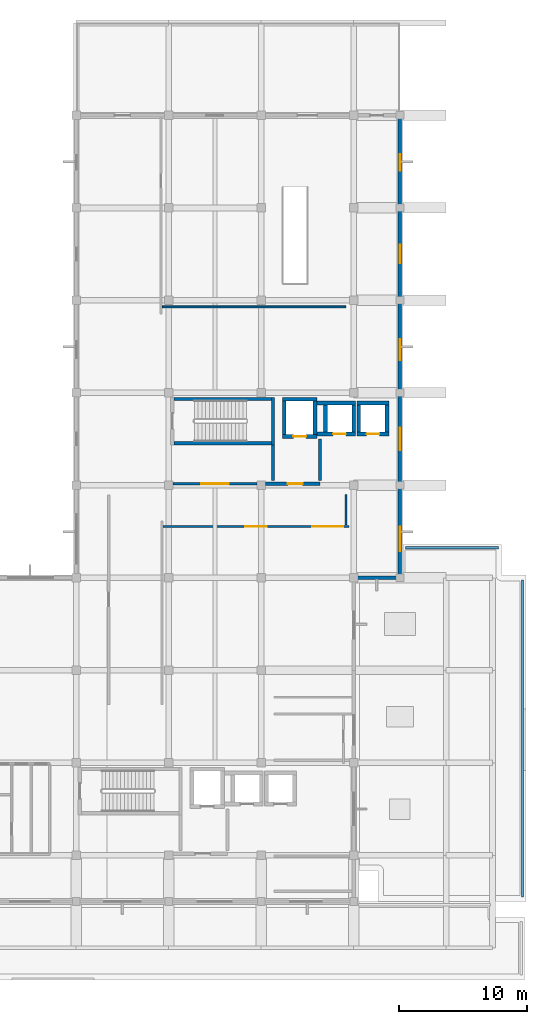
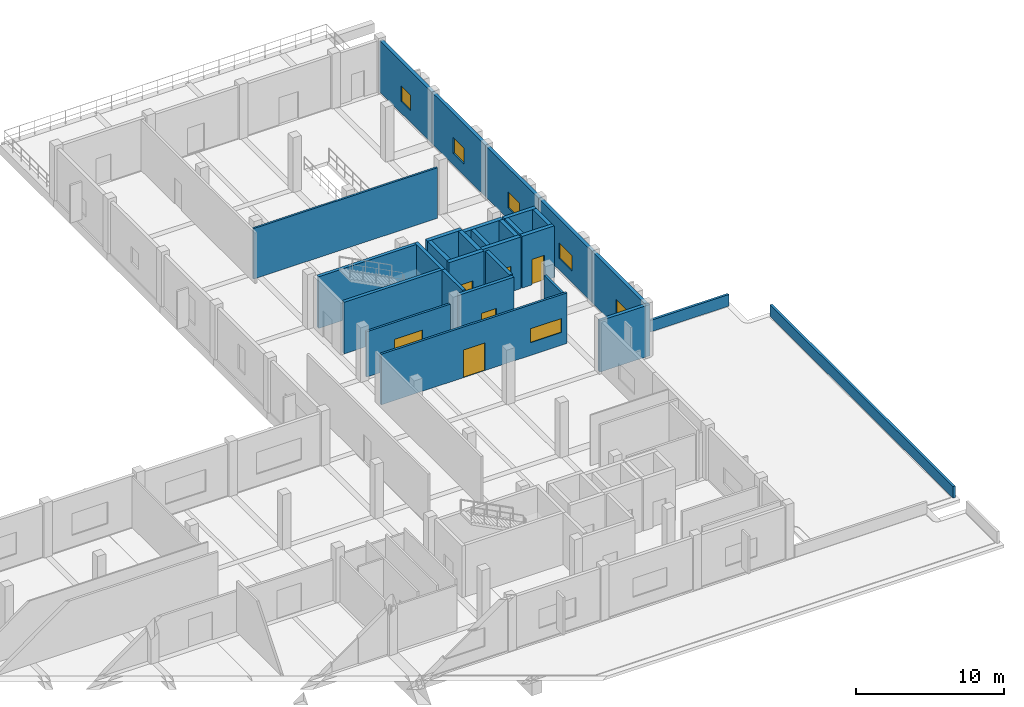
# One storey, part 8 of 16: 30 walls, 6 doors, 6 windows, 12 openings.
"""IFC4 building model written with IfcOpenShell, lengths in metres."""

from ifc_helpers import new_model, si_unit, direction, frame, frame_2d, origin, place, context, subcontext, project, spatial, rectangle, extrude, material, layer, layer_set, type_object, element, fill, save


model = new_model("IFC4")

# Units and contexts
model_context = context("Model", 3, precision=1e-05, world=origin(), true_north=direction((0.0, 1.0)))
body_context = subcontext(model_context, "Body", "Model", "MODEL_VIEW")
ifc_project = project(units=[si_unit("LENGTHUNIT", "METRE"), si_unit("AREAUNIT", "SQUARE_METRE"), si_unit("VOLUMEUNIT", "CUBIC_METRE"), si_unit("PLANEANGLEUNIT", "RADIAN"), si_unit("MASSUNIT", "GRAM", prefix="KILO")], contexts=[model_context])

# Site, building, storey
site_placement = place(None, origin())
site = spatial("IfcSite", under=ifc_project, at=site_placement, CompositionType="ELEMENT")
building_placement = place(site_placement, origin())
building = spatial("IfcBuilding", under=site, at=building_placement, Name="Seraya Terrace Polytechnic", CompositionType="ELEMENT")
storey_placement = place(building_placement, frame((0.0, 0.0, 23.39990234375)))
storey = spatial("IfcBuildingStorey", under=building, at=storey_placement, Name="L05", CompositionType="ELEMENT", Elevation=23.39990234375)

# Wall, opening, window
ifc_material_1 = material(Name="Precast concrete C40/50", Category="concrete")
ifc_layer_1 = layer(ifc_material_1, 0.260009765625, Name="EW-03")
ifc_layer_set_1 = layer_set([ifc_layer_1], Name="Precast concrete C40/50")
wall_type_1 = type_object("IfcWallType", Name="EW-03", PredefinedType="SOLIDWALL", material=ifc_layer_set_1)
wall_1_placement = place(storey_placement, frame((104.39990234375, 64.64794921875, 0.0), z_axis=(0.0, 0.0, 1.0), x_axis=(0.0, -1.0, 0.0)))
wall_1 = element("IfcWall", 1, at=wall_1_placement, inside=storey, type_object=wall_type_1, Name="Exterior structural wall EW-03 L05", PredefinedType="SOLIDWALL", context=body_context, shape_type="SweptSolid", body=[
    extrude(rectangle(XDim=7.0478515625, YDim=0.260009765625, at=frame_2d((3.52392578125, 0.0))), origin(), (0.0, 0.0, 1.0), 4.22021484375),
])
opening_1_placement = place(wall_1_placement, frame((2.8740234375, 0.0, 0.949951171875)))
opening_1 = element("IfcOpeningElement", 2, at=opening_1_placement, cuts=wall_1, Name="Opening WN-03", PredefinedType="OPENING", context=body_context, shape_type="SweptSolid", body=[
    extrude(rectangle(XDim=1.300048828125, YDim=1.300048828125, at=frame_2d((0.64990234375, 0.64990234375))), frame((0.0, 0.14208984375, 0.0), z_axis=(0.0, -1.0, 0.0), x_axis=(1.0, 0.0, 0.0)), (0.0, 0.0, 1.0), 0.283935546875),
])
ifc_material_2 = material(Name="Laminated solar-control Low-E double glazing", Category="glass")
window_type_1 = type_object("IfcWindowType", Name="WN-03", PartitioningType="SINGLE_PANEL", PredefinedType="WINDOW", material=ifc_material_2)
window_1_placement = place(opening_1_placement, origin())
window_1 = element("IfcWindow", 3, at=window_1_placement, inside=storey, type_object=window_type_1, Name="Exterior window WN-03 L05", OverallHeight=1.300048828125, OverallWidth=1.300048828125, PartitioningType="SINGLE_PANEL", PredefinedType="WINDOW", context=body_context, shape_type="SweptSolid", body=[
    extrude(rectangle(XDim=1.300048828125, YDim=1.300048828125, at=frame_2d((0.64990234375, 0.64990234375))), frame((0.0, 0.030029296875, 0.0), z_axis=(0.0, -1.0, 0.0), x_axis=(1.0, 0.0, 0.0)), (0.0, 0.0, 1.0), 0.06005859375),
])
fill(opening_1, window_1)

wall_2_placement = place(storey_placement, frame((104.39990234375, 57.60009765625, 0.0), z_axis=(0.0, 0.0, 1.0), x_axis=(0.0, -1.0, 0.0)))
wall_2 = element("IfcWall", 4, at=wall_2_placement, inside=storey, type_object=wall_type_1, Name="Exterior structural wall EW-03 L05", PredefinedType="SOLIDWALL", context=body_context, shape_type="SweptSolid", body=[
    extrude(rectangle(XDim=7.2001953125, YDim=0.260009765625, at=frame_2d((3.60009765625, 0.0))), origin(), (0.0, 0.0, 1.0), 4.22021484375),
])
opening_2_placement = place(wall_2_placement, frame((2.875, 0.0, 0.949951171875)))
opening_2 = element("IfcOpeningElement", 5, at=opening_2_placement, cuts=wall_2, Name="Opening WN-04", PredefinedType="OPENING", context=body_context, shape_type="SweptSolid", body=[
    extrude(rectangle(XDim=1.449951171875, YDim=1.300048828125, at=frame_2d((0.72509765625, 0.64990234375))), frame((0.0, 0.14208984375, 0.0), z_axis=(0.0, -1.0, 0.0), x_axis=(1.0, 0.0, 0.0)), (0.0, 0.0, 1.0), 0.283935546875),
])
window_type_2 = type_object("IfcWindowType", Name="WN-04", PartitioningType="SINGLE_PANEL", PredefinedType="WINDOW", material=ifc_material_2)
window_2_placement = place(opening_2_placement, origin())
window_2 = element("IfcWindow", 6, at=window_2_placement, inside=storey, type_object=window_type_2, Name="Exterior window WN-04 L05", OverallHeight=1.300048828125, OverallWidth=1.449951171875, PartitioningType="SINGLE_PANEL", PredefinedType="WINDOW", context=body_context, shape_type="SweptSolid", body=[
    extrude(rectangle(XDim=1.449951171875, YDim=1.300048828125, at=frame_2d((0.72509765625, 0.64990234375))), frame((0.0, 0.030029296875, 0.0), z_axis=(0.0, -1.0, 0.0), x_axis=(1.0, 0.0, 0.0)), (0.0, 0.0, 1.0), 0.06005859375),
])
fill(opening_2, window_2)

wall_3_placement = place(storey_placement, frame((104.39990234375, 50.39990234375, 0.0), z_axis=(0.0, 0.0, 1.0), x_axis=(0.0, -1.0, 0.0)))
wall_3 = element("IfcWall", 7, at=wall_3_placement, inside=storey, type_object=wall_type_1, Name="Exterior structural wall EW-03 L05", PredefinedType="SOLIDWALL", context=body_context, shape_type="SweptSolid", body=[
    extrude(rectangle(XDim=7.199951171875, YDim=0.260009765625, at=frame_2d((3.60009765625, 0.0))), origin(), (0.0, 0.0, 1.0), 4.22021484375),
])
opening_3_placement = place(wall_3_placement, frame((3.044921875, 0.0, 0.949951171875)))
opening_3 = element("IfcOpeningElement", 8, at=opening_3_placement, cuts=wall_3, Name="Opening WN-05", PredefinedType="OPENING", context=body_context, shape_type="SweptSolid", body=[
    extrude(rectangle(XDim=1.60009765625, YDim=1.300048828125, at=frame_2d((0.800048828125, 0.64990234375))), frame((0.0, 0.14208984375, 0.0), z_axis=(0.0, -1.0, 0.0), x_axis=(1.0, 0.0, 0.0)), (0.0, 0.0, 1.0), 0.283935546875),
])
window_type_3 = type_object("IfcWindowType", Name="WN-05", PartitioningType="SINGLE_PANEL", PredefinedType="WINDOW", material=ifc_material_2)
window_3_placement = place(opening_3_placement, origin())
window_3 = element("IfcWindow", 9, at=window_3_placement, inside=storey, type_object=window_type_3, Name="Exterior window WN-05 L05", OverallHeight=1.300048828125, OverallWidth=1.60009765625, PartitioningType="SINGLE_PANEL", PredefinedType="WINDOW", context=body_context, shape_type="SweptSolid", body=[
    extrude(rectangle(XDim=1.60009765625, YDim=1.300048828125, at=frame_2d((0.800048828125, 0.64990234375))), frame((0.0, 0.030029296875, 0.0), z_axis=(0.0, -1.0, 0.0), x_axis=(1.0, 0.0, 0.0)), (0.0, 0.0, 1.0), 0.06005859375),
])
fill(opening_3, window_3)

wall_4_placement = place(storey_placement, frame((104.39990234375, 43.199951171875, 0.0), z_axis=(0.0, 0.0, 1.0), x_axis=(0.0, -1.0, 0.0)))
wall_4 = element("IfcWall", 10, at=wall_4_placement, inside=storey, type_object=wall_type_1, Name="Exterior structural wall EW-03 L05", PredefinedType="SOLIDWALL", context=body_context, shape_type="SweptSolid", body=[
    extrude(rectangle(XDim=7.199951171875, YDim=0.260009765625, at=frame_2d((3.60009765625, 0.0))), origin(), (0.0, 0.0, 1.0), 4.22021484375),
])
opening_4_placement = place(wall_4_placement, frame((2.72509765625, 0.0, 0.949951171875)))
opening_4 = element("IfcOpeningElement", 11, at=opening_4_placement, cuts=wall_4, Name="Opening WN-06", PredefinedType="OPENING", context=body_context, shape_type="SweptSolid", body=[
    extrude(rectangle(XDim=1.75, YDim=1.300048828125, at=frame_2d((0.875, 0.64990234375))), frame((0.0, 0.14208984375, 0.0), z_axis=(0.0, -1.0, 0.0), x_axis=(1.0, 0.0, 0.0)), (0.0, 0.0, 1.0), 0.283935546875),
])
window_type_4 = type_object("IfcWindowType", Name="WN-06", PartitioningType="SINGLE_PANEL", PredefinedType="WINDOW", material=ifc_material_2)
window_4_placement = place(opening_4_placement, origin())
window_4 = element("IfcWindow", 12, at=window_4_placement, inside=storey, type_object=window_type_4, Name="Exterior window WN-06 L05", OverallHeight=1.300048828125, OverallWidth=1.75, PartitioningType="SINGLE_PANEL", PredefinedType="WINDOW", context=body_context, shape_type="SweptSolid", body=[
    extrude(rectangle(XDim=1.75, YDim=1.300048828125, at=frame_2d((0.875, 0.64990234375))), frame((0.0, 0.030029296875, 0.0), z_axis=(0.0, -1.0, 0.0), x_axis=(1.0, 0.0, 0.0)), (0.0, 0.0, 1.0), 0.06005859375),
])
fill(opening_4, window_4)

wall_5_placement = place(storey_placement, frame((104.39990234375, 36.0, 0.0), z_axis=(0.0, 0.0, 1.0), x_axis=(0.0, -1.0, 0.0)))
wall_5 = element("IfcWall", 13, at=wall_5_placement, inside=storey, type_object=wall_type_1, Name="Exterior structural wall EW-03 L05", PredefinedType="SOLIDWALL", context=body_context, shape_type="SweptSolid", body=[
    extrude(rectangle(XDim=7.048095703125, YDim=0.260009765625, at=frame_2d((3.52392578125, 0.0))), origin(), (0.0, 0.0, 1.0), 4.22021484375),
])
opening_5_placement = place(wall_5_placement, frame((3.214111328125, 0.0, 0.949951171875)))
opening_5 = element("IfcOpeningElement", 14, at=opening_5_placement, cuts=wall_5, Name="Opening WN-07", PredefinedType="OPENING", context=body_context, shape_type="SweptSolid", body=[
    extrude(rectangle(XDim=1.89990234375, YDim=1.300048828125, at=frame_2d((0.949951171875, 0.64990234375))), frame((0.0, 0.14208984375, 0.0), z_axis=(0.0, -1.0, 0.0), x_axis=(1.0, 0.0, 0.0)), (0.0, 0.0, 1.0), 0.283935546875),
])
window_type_5 = type_object("IfcWindowType", Name="WN-07", PartitioningType="SINGLE_PANEL", PredefinedType="WINDOW", material=ifc_material_2)
window_5_placement = place(opening_5_placement, origin())
window_5 = element("IfcWindow", 15, at=window_5_placement, inside=storey, type_object=window_type_5, Name="Exterior window WN-07 L05", OverallHeight=1.300048828125, OverallWidth=1.89990234375, PartitioningType="SINGLE_PANEL", PredefinedType="WINDOW", context=body_context, shape_type="SweptSolid", body=[
    extrude(rectangle(XDim=1.89990234375, YDim=1.300048828125, at=frame_2d((0.949951171875, 0.64990234375))), frame((0.0, 0.030029296875, 0.0), z_axis=(0.0, -1.0, 0.0), x_axis=(1.0, 0.0, 0.0)), (0.0, 0.0, 1.0), 0.06005859375),
])
fill(opening_5, window_5)

# Wall
wall_6_placement = place(storey_placement, frame((104.550048828125, 28.800048828125, 0.0), z_axis=(0.0, 0.0, 1.0), x_axis=(-1.0, 0.0, 0.0)))
element("IfcWall", 16, at=wall_6_placement, inside=storey, type_object=wall_type_1, Name="Exterior structural wall EW-03 L05", PredefinedType="SOLIDWALL", context=body_context, shape_type="SweptSolid", body=[
    extrude(rectangle(XDim=3.900146484375, YDim=0.260009765625, at=frame_2d((1.9501953125, 0.0))), origin(), (0.0, 0.0, 1.0), 4.22021484375),
])

# Wall, openings, door, window
ifc_material_3 = material(Name="Autoclaved aerated concrete blockwork", Category="masonry")
ifc_layer_2 = layer(ifc_material_3, 0.169921875, Name="PT-02")
ifc_layer_set_2 = layer_set([ifc_layer_2], Name="Autoclaved aerated concrete blockwork")
wall_type_2 = type_object("IfcWallType", Name="PT-02", PredefinedType="PARTITIONING", material=ifc_layer_set_2)
wall_7_placement = place(storey_placement, frame((85.969970703125, 32.800048828125, 0.0), z_axis=(0.0, 0.0, 1.0), x_axis=(1.0, 0.0, 0.0)))
wall_7 = element("IfcWall", 17, at=wall_7_placement, inside=storey, type_object=wall_type_2, Name="Internal partition PT-02 L05", PredefinedType="PARTITIONING", context=body_context, shape_type="SweptSolid", body=[
    extrude(rectangle(XDim=14.469970703125, YDim=0.169921875, at=frame_2d((7.23486328125, 0.0))), origin(), (0.0, 0.0, 1.0), 4.16015625),
])
opening_6_placement = place(wall_7_placement, frame((6.39501953125, 0.0, 0.0)))
opening_6 = element("IfcOpeningElement", 18, at=opening_6_placement, cuts=wall_7, Name="Opening ID-13", PredefinedType="OPENING", context=body_context, shape_type="SweptSolid", body=[
    extrude(rectangle(XDim=1.679931640625, YDim=2.280029296875, at=frame_2d((0.83984375, 1.14013671875))), frame((0.0, 0.096923828125, 0.0), z_axis=(0.0, -1.0, 0.0), x_axis=(1.0, 0.0, 0.0)), (0.0, 0.0, 1.0), 0.19384765625),
])
opening_7_placement = place(wall_7_placement, frame((11.6201171875, 0.0, 1.050048828125)))
opening_7 = element("IfcOpeningElement", 19, at=opening_7_placement, cuts=wall_7, Name="Opening IW-04", PredefinedType="OPENING", context=body_context, shape_type="SweptSolid", body=[
    extrude(rectangle(XDim=2.39990234375, YDim=1.14990234375, at=frame_2d((1.199951171875, 0.574951171875))), frame((0.0, 0.096923828125, 0.0), z_axis=(0.0, -1.0, 0.0), x_axis=(1.0, 0.0, 0.0)), (0.0, 0.0, 1.0), 0.19384765625),
])
ifc_material_4 = material(Name="Malaysian dark red meranti hardwood timber D40", Category="wood")
door_type_1 = type_object("IfcDoorType", Name="ID-13", OperationType="DOUBLE_DOOR_SINGLE_SWING", PredefinedType="DOOR", material=ifc_material_4)
door_1_placement = place(opening_6_placement, origin())
door_1 = element("IfcDoor", 20, at=door_1_placement, inside=storey, type_object=door_type_1, Name="Door ID-13 DR-INT-L05-0250 in WL-INT-L05-0728", OperationType="DOUBLE_DOOR_SINGLE_SWING", OverallHeight=2.280029296875, OverallWidth=1.679931640625, PredefinedType="DOOR", context=body_context, shape_type="SweptSolid", body=[
    extrude(rectangle(XDim=1.679931640625, YDim=2.280029296875, at=frame_2d((0.83984375, 1.14013671875))), frame((0.0, 0.02490234375, 0.0), z_axis=(0.0, -1.0, 0.0), x_axis=(1.0, 0.0, 0.0)), (0.0, 0.0, 1.0), 0.050048828125),
])
fill(opening_6, door_1)
window_type_6 = type_object("IfcWindowType", Name="IW-04", PartitioningType="SINGLE_PANEL", PredefinedType="WINDOW", material=ifc_material_2)
window_6_placement = place(opening_7_placement, origin())
window_6 = element("IfcWindow", 21, at=window_6_placement, inside=storey, type_object=window_type_6, Name="Internal lab vision window IW-04 L05", OverallHeight=1.14990234375, OverallWidth=2.39990234375, PartitioningType="SINGLE_PANEL", PredefinedType="WINDOW", context=body_context, shape_type="SweptSolid", body=[
    extrude(rectangle(XDim=2.39990234375, YDim=1.14990234375, at=frame_2d((1.199951171875, 0.574951171875))), frame((0.0, 0.030029296875, 0.0), z_axis=(0.0, -1.0, 0.0), x_axis=(1.0, 0.0, 0.0)), (0.0, 0.0, 1.0), 0.06005859375),
])
fill(opening_7, window_6)

# Wall
wall_8_placement = place(storey_placement, frame((100.199951171875, 32.89990234375, 0.0), z_axis=(0.0, 0.0, 1.0), x_axis=(0.0, 1.0, 0.0)))
element("IfcWall", 22, at=wall_8_placement, inside=storey, type_object=wall_type_2, Name="Internal partition PT-02 L05", PredefinedType="PARTITIONING", context=body_context, shape_type="SweptSolid", body=[
    extrude(rectangle(XDim=2.37158203125, YDim=0.169921875, at=frame_2d((1.185791015625, 0.0))), origin(), (0.0, 0.0, 1.0), 4.16015625),
])

# Wall, opening, door
wall_9_placement = place(storey_placement, frame((86.735107421875, 36.1201171875, 0.0), z_axis=(0.0, 0.0, 1.0), x_axis=(1.0, 0.0, 0.0)))
wall_9 = element("IfcWall", 23, at=wall_9_placement, inside=storey, type_object=wall_type_2, Name="Internal partition PT-02 L05", PredefinedType="PARTITIONING", context=body_context, shape_type="SweptSolid", body=[
    extrude(rectangle(XDim=6.52978515625, YDim=0.169921875, at=frame_2d((3.264892578125, 0.0))), origin(), (0.0, 0.0, 1.0), 3.72998046875),
])
opening_8_placement = place(wall_9_placement, frame((2.18505859375, 0.0, 0.0)))
opening_8 = element("IfcOpeningElement", 24, at=opening_8_placement, cuts=wall_9, Name="Opening ID-18", PredefinedType="OPENING", context=body_context, shape_type="SweptSolid", body=[
    extrude(rectangle(XDim=2.159912109375, YDim=2.35009765625, at=frame_2d((1.080078125, 1.175048828125))), frame((0.0, 0.096923828125, 0.0), z_axis=(0.0, -1.0, 0.0), x_axis=(1.0, 0.0, 0.0)), (0.0, 0.0, 1.0), 0.19384765625),
])
door_type_2 = type_object("IfcDoorType", Name="ID-18", OperationType="DOUBLE_DOOR_SINGLE_SWING", PredefinedType="DOOR", material=ifc_material_4)
door_2_placement = place(opening_8_placement, frame((2.159912109375, 0.0, 0.0), z_axis=(0.0, 0.0, 1.0), x_axis=(-1.0, 0.0, 0.0)))
door_2 = element("IfcDoor", 25, at=door_2_placement, inside=storey, type_object=door_type_2, Name="Door ID-18 DR-INT-L05-0255 in WL-INT-L05-0730", OperationType="DOUBLE_DOOR_SINGLE_SWING", OverallHeight=2.35009765625, OverallWidth=2.159912109375, PredefinedType="DOOR", context=body_context, shape_type="SweptSolid", body=[
    extrude(rectangle(XDim=2.159912109375, YDim=2.35009765625, at=frame_2d((1.080078125, 1.175048828125))), frame((0.0, 0.02490234375, 0.0), z_axis=(0.0, -1.0, 0.0), x_axis=(1.0, 0.0, 0.0)), (0.0, 0.0, 1.0), 0.050048828125),
])
fill(opening_8, door_2)

# Walls
ifc_layer_3 = layer(ifc_material_3, 0.14990234375, Name="PT-03")
ifc_layer_set_3 = layer_set([ifc_layer_3], Name="Autoclaved aerated concrete blockwork")
wall_type_3 = type_object("IfcWallType", Name="PT-03", PredefinedType="PARTITIONING", material=ifc_layer_set_3)
wall_10_placement = place(storey_placement, frame((85.89990234375, 49.889892578125, 0.0), z_axis=(0.0, 0.0, 1.0), x_axis=(1.0, 0.0, 0.0)))
element("IfcWall", 26, at=wall_10_placement, inside=storey, type_object=wall_type_3, Name="Internal partition PT-03 L05", PredefinedType="PARTITIONING", context=body_context, shape_type="SweptSolid", body=[
    extrude(rectangle(XDim=14.300048828125, YDim=0.14990234375, at=frame_2d((7.14990234375, 0.0))), origin(), (0.0, 0.0, 1.0), 4.16015625),
])
ifc_layer_4 = layer(ifc_material_1, 0.179931640625, Name="PW-P2")
ifc_layer_set_4 = layer_set([ifc_layer_4], Name="Precast concrete C40/50")
wall_type_4 = type_object("IfcWallType", Name="PW-P2", PredefinedType="PARAPET", material=ifc_layer_set_4)
wall_11_placement = place(storey_placement, frame((113.949951171875, 28.639892578125, 0.0), z_axis=(0.0, 0.0, 1.0), x_axis=(0.0, -1.0, 0.0)))
element("IfcWall", 27, at=wall_11_placement, inside=storey, type_object=wall_type_4, Name="Roof parapet ROOF-L05-SE 7.1", PredefinedType="PARAPET", context=body_context, shape_type="SweptSolid", body=[
    extrude(rectangle(XDim=24.6796875, YDim=0.179931640625, at=frame_2d((12.33984375, 0.0))), origin(), (0.0, 0.0, 1.0), 0.9501953125),
])
wall_12_placement = place(storey_placement, frame((104.85009765625, 31.14990234375, 0.0), z_axis=(0.0, 0.0, 1.0), x_axis=(1.0, 0.0, 0.0)))
element("IfcWall", 28, at=wall_12_placement, inside=storey, type_object=wall_type_4, Name="Roof parapet ROOF-L05-SE 22.1", PredefinedType="PARAPET", context=body_context, shape_type="SweptSolid", body=[
    extrude(rectangle(XDim=7.223876953125, YDim=0.179931640625, at=frame_2d((3.61181640625, 0.0))), origin(), (0.0, 0.0, 1.0), 0.9501953125),
])

# Wall, opening, door
ifc_material_5 = material(Name="Concrete C40/50", Category="concrete")
ifc_layer_5 = layer(ifc_material_5, 0.300048828125, Name="SW-01")
ifc_layer_set_5 = layer_set([ifc_layer_5], Name="Concrete C40/50")
wall_type_5 = type_object("IfcWallType", Name="SW-01", PredefinedType="SHEAR", material=ifc_layer_set_5)
wall_13_placement = place(storey_placement, frame((95.25, 39.800048828125, 0.0), z_axis=(0.0, 0.0, 1.0), x_axis=(1.0, 0.0, 0.0)))
wall_13 = element("IfcWall", 29, at=wall_13_placement, inside=storey, type_object=wall_type_5, Name="Lift shaft FL-02 South wall L05", PredefinedType="SHEAR", context=body_context, shape_type="SweptSolid", body=[
    extrude(rectangle(XDim=2.699951171875, YDim=0.300048828125, at=frame_2d((1.35009765625, 0.0))), origin(), (0.0, 0.0, 1.0), 4.25),
])
opening_9_placement = place(wall_13_placement, frame((0.85009765625, 0.0, 0.0)))
opening_9 = element("IfcOpeningElement", 30, at=opening_9_placement, cuts=wall_13, Name="Opening LD-01", PredefinedType="OPENING", context=body_context, shape_type="SweptSolid", body=[
    extrude(rectangle(XDim=1.0, YDim=2.10009765625, at=frame_2d((0.5, 1.050048828125))), frame((0.0, 0.162109375, 0.0), z_axis=(0.0, -1.0, 0.0), x_axis=(1.0, 0.0, 0.0)), (0.0, 0.0, 1.0), 0.323974609375),
])
ifc_material_6 = material(Name="Steel S355J2", Category="steel")
door_type_3 = type_object("IfcDoorType", Name="LD-01", OperationType="SLIDING_TO_LEFT", PredefinedType="DOOR", material=ifc_material_6)
door_3_placement = place(opening_9_placement, frame((1.0, 0.0, 0.0), z_axis=(0.0, 0.0, 1.0), x_axis=(-1.0, 0.0, 0.0)))
door_3 = element("IfcDoor", 31, at=door_3_placement, inside=storey, type_object=door_type_3, Name="Door LD-01 LD-FL-02-L05 in WL-SHF-FL-02-L05-S", OperationType="SLIDING_TO_RIGHT", OverallHeight=2.10009765625, OverallWidth=1.0, PredefinedType="DOOR", context=body_context, shape_type="SweptSolid", body=[
    extrude(rectangle(XDim=1.0, YDim=2.10009765625, at=frame_2d((0.5, 1.050048828125))), frame((0.0, 0.02490234375, 0.0), z_axis=(0.0, -1.0, 0.0), x_axis=(1.0, 0.0, 0.0)), (0.0, 0.0, 1.0), 0.050048828125),
])
fill(opening_9, door_3)

# Walls
wall_14_placement = place(storey_placement, frame((95.25, 42.699951171875, 0.0), z_axis=(0.0, 0.0, 1.0), x_axis=(1.0, 0.0, 0.0)))
element("IfcWall", 32, at=wall_14_placement, inside=storey, type_object=wall_type_5, Name="Lift shaft FL-02 North wall L05", PredefinedType="SHEAR", context=body_context, shape_type="SweptSolid", body=[
    extrude(rectangle(XDim=2.699951171875, YDim=0.300048828125, at=frame_2d((1.35009765625, 0.0))), origin(), (0.0, 0.0, 1.0), 4.25),
])
for number, where, z_axis, x_axis, name in (
    (33, (95.39990234375, 39.949951171875, 0.0), (0.0, 0.0, 1.0), (0.0, 1.0, 0.0), "Lift shaft FL-02 West wall L05"),
    (34, (97.800048828125, 39.949951171875, 0.0), (0.0, 0.0, 1.0), (0.0, 1.0, 0.0), "Lift shaft FL-02 East wall L05"),
):
    element("IfcWall", number, at=place(storey_placement, frame(where, z_axis=z_axis, x_axis=x_axis)), inside=storey, type_object=wall_type_5, Name=name, PredefinedType="SHEAR", context=body_context, shape_type="SweptSolid", body=[
        extrude(rectangle(XDim=2.60009765625, YDim=0.300048828125, at=frame_2d((1.300048828125, 0.0))), origin(), (0.0, 0.0, 1.0), 4.25),
    ])

# Wall, opening, door
wall_15_placement = place(storey_placement, frame((97.949951171875, 40.0, 0.0), z_axis=(0.0, 0.0, 1.0), x_axis=(1.0, 0.0, 0.0)))
wall_15 = element("IfcWall", 35, at=wall_15_placement, inside=storey, type_object=wall_type_5, Name="Lift shaft PL-03 South wall L05", PredefinedType="SHEAR", context=body_context, shape_type="SweptSolid", body=[
    extrude(rectangle(XDim=3.0, YDim=0.300048828125, at=frame_2d((1.5, 0.0))), origin(), (0.0, 0.0, 1.0), 4.25),
])
opening_10_placement = place(wall_15_placement, frame((1.25, 0.0, 0.0)))
opening_10 = element("IfcOpeningElement", 36, at=opening_10_placement, cuts=wall_15, Name="Opening LD-01", PredefinedType="OPENING", context=body_context, shape_type="SweptSolid", body=[
    extrude(rectangle(XDim=1.0, YDim=2.10009765625, at=frame_2d((0.5, 1.050048828125))), frame((0.0, 0.162109375, 0.0), z_axis=(0.0, -1.0, 0.0), x_axis=(1.0, 0.0, 0.0)), (0.0, 0.0, 1.0), 0.323974609375),
])
door_4_placement = place(opening_10_placement, frame((1.0, 0.0, 0.0), z_axis=(0.0, 0.0, 1.0), x_axis=(-1.0, 0.0, 0.0)))
door_4 = element("IfcDoor", 37, at=door_4_placement, inside=storey, type_object=door_type_3, Name="Door LD-01 LD-PL-03-L05 in WL-SHF-PL-03-L05-S", OperationType="SLIDING_TO_LEFT", OverallHeight=2.10009765625, OverallWidth=1.0, PredefinedType="DOOR", context=body_context, shape_type="SweptSolid", body=[
    extrude(rectangle(XDim=1.0, YDim=2.10009765625, at=frame_2d((0.5, 1.050048828125))), frame((0.0, 0.02490234375, 0.0), z_axis=(0.0, -1.0, 0.0), x_axis=(1.0, 0.0, 0.0)), (0.0, 0.0, 1.0), 0.050048828125),
])
fill(opening_10, door_4)

# Walls
wall_16_placement = place(storey_placement, frame((97.949951171875, 42.39990234375, 0.0), z_axis=(0.0, 0.0, 1.0), x_axis=(1.0, 0.0, 0.0)))
element("IfcWall", 38, at=wall_16_placement, inside=storey, type_object=wall_type_5, Name="Lift shaft PL-03 North wall L05", PredefinedType="SHEAR", context=body_context, shape_type="SweptSolid", body=[
    extrude(rectangle(XDim=3.0, YDim=0.300048828125, at=frame_2d((1.5, 0.0))), origin(), (0.0, 0.0, 1.0), 4.25),
])
for number, where, z_axis, x_axis, name in (
    (39, (98.60009765625, 40.14990234375, 0.0), (0.0, 0.0, 1.0), (0.0, 1.0, 0.0), "Lift shaft PL-03 West wall L05"),
    (40, (100.800048828125, 40.14990234375, 0.0), (0.0, 0.0, 1.0), (0.0, 1.0, 0.0), "Lift shaft PL-03 East wall L05"),
):
    element("IfcWall", number, at=place(storey_placement, frame(where, z_axis=z_axis, x_axis=x_axis)), inside=storey, type_object=wall_type_5, Name=name, PredefinedType="SHEAR", context=body_context, shape_type="SweptSolid", body=[
        extrude(rectangle(XDim=2.10009765625, YDim=0.300048828125, at=frame_2d((1.050048828125, 0.0))), origin(), (0.0, 0.0, 1.0), 4.25),
    ])

# Wall, opening, door
wall_17_placement = place(storey_placement, frame((101.050048828125, 40.0, 0.0), z_axis=(0.0, 0.0, 1.0), x_axis=(1.0, 0.0, 0.0)))
wall_17 = element("IfcWall", 41, at=wall_17_placement, inside=storey, type_object=wall_type_5, Name="Lift shaft PL-04 South wall L05", PredefinedType="SHEAR", context=body_context, shape_type="SweptSolid", body=[
    extrude(rectangle(XDim=2.5, YDim=0.300048828125, at=frame_2d((1.25, 0.0))), origin(), (0.0, 0.0, 1.0), 4.25),
])
opening_11_placement = place(wall_17_placement, frame((0.75, 0.0, 0.0)))
opening_11 = element("IfcOpeningElement", 42, at=opening_11_placement, cuts=wall_17, Name="Opening LD-01", PredefinedType="OPENING", context=body_context, shape_type="SweptSolid", body=[
    extrude(rectangle(XDim=1.0, YDim=2.10009765625, at=frame_2d((0.5, 1.050048828125))), frame((0.0, 0.162109375, 0.0), z_axis=(0.0, -1.0, 0.0), x_axis=(1.0, 0.0, 0.0)), (0.0, 0.0, 1.0), 0.323974609375),
])
door_5_placement = place(opening_11_placement, frame((1.0, 0.0, 0.0), z_axis=(0.0, 0.0, 1.0), x_axis=(-1.0, 0.0, 0.0)))
door_5 = element("IfcDoor", 43, at=door_5_placement, inside=storey, type_object=door_type_3, Name="Door LD-01 LD-PL-04-L05 in WL-SHF-PL-04-L05-S", OperationType="SLIDING_TO_RIGHT", OverallHeight=2.10009765625, OverallWidth=1.0, PredefinedType="DOOR", context=body_context, shape_type="SweptSolid", body=[
    extrude(rectangle(XDim=1.0, YDim=2.10009765625, at=frame_2d((0.5, 1.050048828125))), frame((0.0, 0.02490234375, 0.0), z_axis=(0.0, -1.0, 0.0), x_axis=(1.0, 0.0, 0.0)), (0.0, 0.0, 1.0), 0.050048828125),
])
fill(opening_11, door_5)

# Walls
wall_18_placement = place(storey_placement, frame((101.050048828125, 42.39990234375, 0.0), z_axis=(0.0, 0.0, 1.0), x_axis=(1.0, 0.0, 0.0)))
element("IfcWall", 44, at=wall_18_placement, inside=storey, type_object=wall_type_5, Name="Lift shaft PL-04 North wall L05", PredefinedType="SHEAR", context=body_context, shape_type="SweptSolid", body=[
    extrude(rectangle(XDim=2.5, YDim=0.300048828125, at=frame_2d((1.25, 0.0))), origin(), (0.0, 0.0, 1.0), 4.25),
])
for number, where, z_axis, x_axis, name in (
    (45, (101.199951171875, 40.14990234375, 0.0), (0.0, 0.0, 1.0), (0.0, 1.0, 0.0), "Lift shaft PL-04 West wall L05"),
    (46, (103.39990234375, 40.14990234375, 0.0), (0.0, 0.0, 1.0), (0.0, 1.0, 0.0), "Lift shaft PL-04 East wall L05"),
):
    element("IfcWall", number, at=place(storey_placement, frame(where, z_axis=z_axis, x_axis=x_axis)), inside=storey, type_object=wall_type_5, Name=name, PredefinedType="SHEAR", context=body_context, shape_type="SweptSolid", body=[
        extrude(rectangle(XDim=2.10009765625, YDim=0.300048828125, at=frame_2d((1.050048828125, 0.0))), origin(), (0.0, 0.0, 1.0), 4.25),
    ])
ifc_layer_6 = layer(ifc_material_5, 0.25, Name="SW-02")
ifc_layer_set_6 = layer_set([ifc_layer_6], Name="Concrete C40/50")
wall_type_6 = type_object("IfcWallType", Name="SW-02", PredefinedType="SHEAR", material=ifc_layer_set_6)
wall_19_placement = place(storey_placement, frame((94.52490234375, 39.14990234375, 0.0), z_axis=(0.0, 0.0, 1.0), x_axis=(0.0, 1.0, 0.0)))
element("IfcWall", 47, at=wall_19_placement, inside=storey, type_object=wall_type_6, Name="Stairwell ST-02 East wall L05", PredefinedType="SHEAR", context=body_context, shape_type="SweptSolid", body=[
    extrude(rectangle(XDim=3.7001953125, YDim=0.25, at=frame_2d((1.85009765625, 0.0))), origin(), (0.0, 0.0, 1.0), 4.25),
])
for number, where, z_axis, x_axis, name in (
    (48, (86.800048828125, 39.27490234375, 0.0), (0.0, 0.0, 1.0), (1.0, 0.0, 0.0), "Stairwell ST-02 South wall L05"),
    (49, (86.800048828125, 42.72509765625, 0.0), (0.0, 0.0, 1.0), (1.0, 0.0, 0.0), "Stairwell ST-02 North wall L05"),
):
    element("IfcWall", number, at=place(storey_placement, frame(where, z_axis=z_axis, x_axis=x_axis)), inside=storey, type_object=wall_type_6, Name=name, PredefinedType="SHEAR", context=body_context, shape_type="SweptSolid", body=[
        extrude(rectangle(XDim=7.599853515625, YDim=0.25, at=frame_2d((3.7998046875, 0.0))), origin(), (0.0, 0.0, 1.0), 4.25),
    ])

# Wall, opening, door
wall_20_placement = place(storey_placement, frame((93.925048828125, 36.125, 0.0), z_axis=(0.0, 0.0, 1.0), x_axis=(1.0, 0.0, 0.0)))
wall_20 = element("IfcWall", 50, at=wall_20_placement, inside=storey, type_object=wall_type_6, Name="Firefighting lobby B South wall L05", PredefinedType="SHEAR", context=body_context, shape_type="SweptSolid", body=[
    extrude(rectangle(XDim=4.25, YDim=0.25, at=frame_2d((2.125, 0.0))), origin(), (0.0, 0.0, 1.0), 4.25),
])
opening_12_placement = place(wall_20_placement, frame((1.75, 0.0, 0.0)))
opening_12 = element("IfcOpeningElement", 51, at=opening_12_placement, cuts=wall_20, Name="Opening FD-02", PredefinedType="OPENING", context=body_context, shape_type="SweptSolid", body=[
    extrude(rectangle(XDim=1.14990234375, YDim=2.14990234375, at=frame_2d((0.574951171875, 1.074951171875))), frame((0.0, 0.136962890625, 0.0), z_axis=(0.0, -1.0, 0.0), x_axis=(1.0, 0.0, 0.0)), (0.0, 0.0, 1.0), 0.27392578125),
])
door_type_4 = type_object("IfcDoorType", Name="FD-02", OperationType="NOTDEFINED", PredefinedType="DOOR", material=ifc_material_6)
door_6_placement = place(opening_12_placement, frame((1.14990234375, 0.0, 0.0), z_axis=(0.0, 0.0, 1.0), x_axis=(-1.0, 0.0, 0.0)))
door_6 = element("IfcDoor", 52, at=door_6_placement, inside=storey, type_object=door_type_4, Name="Door FD-02 DR-FFL-CORE-B-L05 in WL-FFL-CORE-B-L05-S", OperationType="SINGLE_SWING_LEFT", OverallHeight=2.14990234375, OverallWidth=1.14990234375, PredefinedType="DOOR", context=body_context, shape_type="SweptSolid", body=[
    extrude(rectangle(XDim=1.14990234375, YDim=2.14990234375, at=frame_2d((0.574951171875, 1.074951171875))), frame((0.0, 0.02490234375, 0.0), z_axis=(0.0, -1.0, 0.0), x_axis=(1.0, 0.0, 0.0)), (0.0, 0.0, 1.0), 0.050048828125),
])
fill(opening_12, door_6)

# Walls
wall_21_placement = place(storey_placement, frame((94.52490234375, 36.375, 0.0), z_axis=(0.0, 0.0, 1.0), x_axis=(0.0, 1.0, 0.0)))
element("IfcWall", 53, at=wall_21_placement, inside=storey, type_object=wall_type_6, Name="Firefighting lobby B West wall L05", PredefinedType="SHEAR", context=body_context, shape_type="SweptSolid", body=[
    extrude(rectangle(XDim=2.77001953125, YDim=0.25, at=frame_2d((1.385009765625, 0.0))), origin(), (0.0, 0.0, 1.0), 4.25),
])
wall_22_placement = place(storey_placement, frame((98.175048828125, 36.375, 0.0), z_axis=(0.0, 0.0, 1.0), x_axis=(0.0, 1.0, 0.0)))
element("IfcWall", 54, at=wall_22_placement, inside=storey, type_object=wall_type_6, Name="Firefighting lobby B East wall L05", PredefinedType="SHEAR", context=body_context, shape_type="SweptSolid", body=[
    extrude(rectangle(XDim=3.22509765625, YDim=0.25, at=frame_2d((1.612548828125, 0.0))), origin(), (0.0, 0.0, 1.0), 4.25),
])

save(model, "model.ifc")
